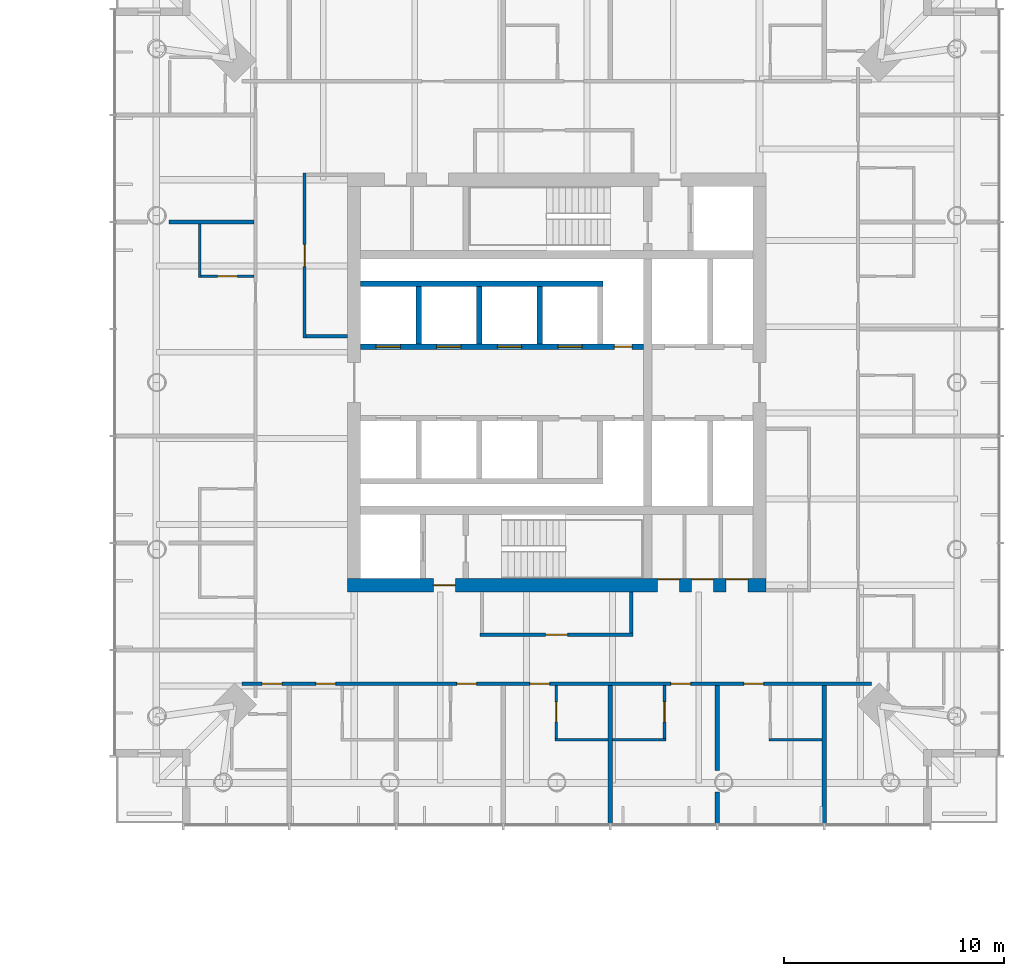
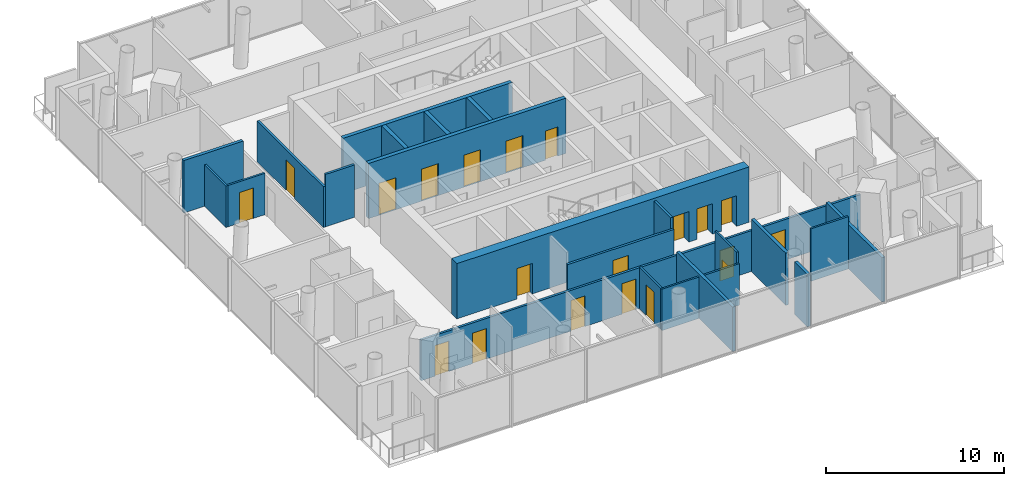
# One storey, part 15 of 22: 23 walls, 20 doors, 20 openings.
"""IFC4 building model written with IfcOpenShell, lengths in metres."""

from ifc_helpers import new_model, si_unit, direction, frame, frame_2d, origin, place, context, subcontext, project, spatial, rectangle, extrude, material, layer, layer_set, type_object, element, fill, save


model = new_model("IFC4")

# Units and contexts
model_context = context("Model", 3, precision=1e-05, world=origin(), true_north=direction((0.0, 1.0)))
body_context = subcontext(model_context, "Body", "Model", "MODEL_VIEW")
ifc_project = project(units=[si_unit("LENGTHUNIT", "METRE"), si_unit("AREAUNIT", "SQUARE_METRE"), si_unit("VOLUMEUNIT", "CUBIC_METRE"), si_unit("PLANEANGLEUNIT", "RADIAN"), si_unit("MASSUNIT", "GRAM", prefix="KILO")], contexts=[model_context])

# Site, building, storey
site_placement = place(None, origin())
site = spatial("IfcSite", under=ifc_project, at=site_placement, CompositionType="ELEMENT")
building_placement = place(site_placement, origin())
building = spatial("IfcBuilding", under=site, at=building_placement, Name="Ostroluk Exchange", CompositionType="ELEMENT")
storey_placement = place(building_placement, frame((0.0, 0.0, 40.0)))
storey = spatial("IfcBuildingStorey", under=building, at=storey_placement, Name="L09", CompositionType="ELEMENT", Elevation=40.0)

# Walls
ifc_material_1 = material(Name="Concrete C40/50", Category="concrete")
ifc_layer_1 = layer(ifc_material_1, 0.25)
ifc_layer_set_1 = layer_set([ifc_layer_1], Name="Core shaft wall 250")
wall_type_1 = type_object("IfcWallType", Name="Core shaft wall 250", PredefinedType="SHEAR", material=ifc_layer_set_1)
for number, where, z_axis, x_axis, name in (
    (1, (110.72509765625, 47.75, 0.0), (0.0, 0.0, 1.0), (0.0, 1.0, 0.0), "Lift shaft wall"),
    (2, (113.47509765625, 47.75, 0.0), (0.0, 0.0, 1.0), (0.0, 1.0, 0.0), "Lift shaft wall"),
    (3, (116.22509765625, 47.75, 0.0), (0.0, 0.0, 1.0), (0.0, 1.0, 0.0), "Lift shaft wall"),
):
    element("IfcWall", number, at=place(storey_placement, frame(where, z_axis=z_axis, x_axis=x_axis)), inside=storey, type_object=wall_type_1, Name=name, PredefinedType="SHEAR", context=body_context, shape_type="SweptSolid", body=[
        extrude(rectangle(XDim=2.60009765625, YDim=0.25, at=frame_2d((1.300048828125, 0.0))), origin(), (0.0, 0.0, 1.0), 3.800048828125),
    ])
wall_1_placement = place(storey_placement, frame((108.10009765625, 50.47509765625, 0.0), z_axis=(0.0, 0.0, 1.0), x_axis=(1.0, 0.0, 0.0)))
element("IfcWall", 4, at=wall_1_placement, inside=storey, type_object=wall_type_1, Name="Lift shaft wall", PredefinedType="SHEAR", context=body_context, shape_type="SweptSolid", body=[
    extrude(rectangle(XDim=11.0, YDim=0.25, at=frame_2d((5.5, 0.0))), origin(), (0.0, 0.0, 1.0), 3.800048828125),
])

# Wall, openings, doors
wall_2_placement = place(storey_placement, frame((108.10009765625, 47.625, 0.0), z_axis=(0.0, 0.0, 1.0), x_axis=(1.0, 0.0, 0.0)))
wall_2 = element("IfcWall", 5, at=wall_2_placement, inside=storey, type_object=wall_type_1, Name="Lift shaft front wall", PredefinedType="SHEAR", context=body_context, shape_type="SweptSolid", body=[
    extrude(rectangle(XDim=12.829833984375, YDim=0.25, at=frame_2d((6.4150390625, 0.0))), origin(), (0.0, 0.0, 1.0), 3.800048828125),
])
opening_1_placement = place(wall_2_placement, frame((0.699951171875, 0.0, 0.0)))
opening_1 = element("IfcOpeningElement", 6, at=opening_1_placement, cuts=wall_2, Name="Opening LD", PredefinedType="OPENING", context=body_context, shape_type="SweptSolid", body=[
    extrude(rectangle(XDim=1.10009765625, YDim=2.199951171875, at=frame_2d((0.550048828125, 1.10009765625))), frame((0.0, 0.135009765625, 0.0), z_axis=(0.0, -1.0, 0.0), x_axis=(1.0, 0.0, 0.0)), (0.0, 0.0, 1.0), 0.27001953125),
])
opening_2_placement = place(wall_2_placement, frame((3.449951171875, 0.0, 0.0)))
opening_2 = element("IfcOpeningElement", 7, at=opening_2_placement, cuts=wall_2, Name="Opening LD", PredefinedType="OPENING", context=body_context, shape_type="SweptSolid", body=[
    extrude(rectangle(XDim=1.10009765625, YDim=2.199951171875, at=frame_2d((0.550048828125, 1.10009765625))), frame((0.0, 0.135009765625, 0.0), z_axis=(0.0, -1.0, 0.0), x_axis=(1.0, 0.0, 0.0)), (0.0, 0.0, 1.0), 0.27001953125),
])
opening_3_placement = place(wall_2_placement, frame((6.199951171875, 0.0, 0.0)))
opening_3 = element("IfcOpeningElement", 8, at=opening_3_placement, cuts=wall_2, Name="Opening LD", PredefinedType="OPENING", context=body_context, shape_type="SweptSolid", body=[
    extrude(rectangle(XDim=1.10009765625, YDim=2.199951171875, at=frame_2d((0.550048828125, 1.10009765625))), frame((0.0, 0.135009765625, 0.0), z_axis=(0.0, -1.0, 0.0), x_axis=(1.0, 0.0, 0.0)), (0.0, 0.0, 1.0), 0.27001953125),
])
opening_4_placement = place(wall_2_placement, frame((8.949951171875, 0.0, 0.0)))
opening_4 = element("IfcOpeningElement", 9, at=opening_4_placement, cuts=wall_2, Name="Opening LD", PredefinedType="OPENING", context=body_context, shape_type="SweptSolid", body=[
    extrude(rectangle(XDim=1.10009765625, YDim=2.199951171875, at=frame_2d((0.550048828125, 1.10009765625))), frame((0.0, 0.135009765625, 0.0), z_axis=(0.0, -1.0, 0.0), x_axis=(1.0, 0.0, 0.0)), (0.0, 0.0, 1.0), 0.27001953125),
])
opening_5_placement = place(wall_2_placement, frame((11.514892578125, 0.0, 0.0)))
opening_5 = element("IfcOpeningElement", 10, at=opening_5_placement, cuts=wall_2, Name="Opening RD60", PredefinedType="OPENING", context=body_context, shape_type="SweptSolid", body=[
    extrude(rectangle(XDim=0.800048828125, YDim=2.0, at=frame_2d((0.39990234375, 1.0))), frame((0.0, 0.135009765625, 0.0), z_axis=(0.0, -1.0, 0.0), x_axis=(1.0, 0.0, 0.0)), (0.0, 0.0, 1.0), 0.27001953125),
])
ifc_material_2 = material(Name="Stainless steel", Category="steel")
door_type_1 = type_object("IfcDoorType", Name="Lift landing door E 60 1100 x 2200", OperationType="DOUBLE_DOOR_SLIDING", PredefinedType="DOOR", material=ifc_material_2)
door_1_placement = place(opening_1_placement, origin())
door_1 = element("IfcDoor", 11, at=door_1_placement, inside=storey, type_object=door_type_1, Name="Lift HL1 landing door", OperationType="DOUBLE_DOOR_SLIDING", OverallHeight=2.199951171875, OverallWidth=1.10009765625, PredefinedType="DOOR", context=body_context, shape_type="SweptSolid", body=[
    extrude(rectangle(XDim=1.10009765625, YDim=2.199951171875, at=frame_2d((0.550048828125, 1.10009765625))), frame((0.0, 0.02490234375, 0.0), z_axis=(0.0, -1.0, 0.0), x_axis=(1.0, 0.0, 0.0)), (0.0, 0.0, 1.0), 0.050048828125),
])
fill(opening_1, door_1)
door_2_placement = place(opening_2_placement, origin())
door_2 = element("IfcDoor", 12, at=door_2_placement, inside=storey, type_object=door_type_1, Name="Lift HL2 landing door", OperationType="DOUBLE_DOOR_SLIDING", OverallHeight=2.199951171875, OverallWidth=1.10009765625, PredefinedType="DOOR", context=body_context, shape_type="SweptSolid", body=[
    extrude(rectangle(XDim=1.10009765625, YDim=2.199951171875, at=frame_2d((0.550048828125, 1.10009765625))), frame((0.0, 0.02490234375, 0.0), z_axis=(0.0, -1.0, 0.0), x_axis=(1.0, 0.0, 0.0)), (0.0, 0.0, 1.0), 0.050048828125),
])
fill(opening_2, door_2)
door_3_placement = place(opening_3_placement, origin())
door_3 = element("IfcDoor", 13, at=door_3_placement, inside=storey, type_object=door_type_1, Name="Lift HL3 landing door", OperationType="DOUBLE_DOOR_SLIDING", OverallHeight=2.199951171875, OverallWidth=1.10009765625, PredefinedType="DOOR", context=body_context, shape_type="SweptSolid", body=[
    extrude(rectangle(XDim=1.10009765625, YDim=2.199951171875, at=frame_2d((0.550048828125, 1.10009765625))), frame((0.0, 0.02490234375, 0.0), z_axis=(0.0, -1.0, 0.0), x_axis=(1.0, 0.0, 0.0)), (0.0, 0.0, 1.0), 0.050048828125),
])
fill(opening_3, door_3)
door_4_placement = place(opening_4_placement, origin())
door_4 = element("IfcDoor", 14, at=door_4_placement, inside=storey, type_object=door_type_1, Name="Lift HL4 landing door", OperationType="DOUBLE_DOOR_SLIDING", OverallHeight=2.199951171875, OverallWidth=1.10009765625, PredefinedType="DOOR", context=body_context, shape_type="SweptSolid", body=[
    extrude(rectangle(XDim=1.10009765625, YDim=2.199951171875, at=frame_2d((0.550048828125, 1.10009765625))), frame((0.0, 0.02490234375, 0.0), z_axis=(0.0, -1.0, 0.0), x_axis=(1.0, 0.0, 0.0)), (0.0, 0.0, 1.0), 0.050048828125),
])
fill(opening_4, door_4)
ifc_material_3 = material(Name="Steel", Category="steel")
door_type_2 = type_object("IfcDoorType", Name="Riser access door EI 60 800 x 2000", OperationType="SINGLE_SWING_LEFT", PredefinedType="DOOR", material=ifc_material_3)
door_5_placement = place(opening_5_placement, origin())
door_5 = element("IfcDoor", 15, at=door_5_placement, inside=storey, type_object=door_type_2, Name="Riser access door", OperationType="SINGLE_SWING_RIGHT", OverallHeight=2.0, OverallWidth=0.800048828125, PredefinedType="DOOR", context=body_context, shape_type="SweptSolid", body=[
    extrude(rectangle(XDim=0.800048828125, YDim=2.0, at=frame_2d((0.39990234375, 1.0))), frame((0.0, 0.02490234375, 0.0), z_axis=(0.0, -1.0, 0.0), x_axis=(1.0, 0.0, 0.0)), (0.0, 0.0, 1.0), 0.050048828125),
])
fill(opening_5, door_5)

ifc_material_4 = material(Name="Concrete C50/60", Category="concrete")
ifc_layer_2 = layer(ifc_material_4, 0.60009765625)
ifc_layer_set_2 = layer_set([ifc_layer_2], Name="Core wall 600 C50/60")
wall_type_2 = type_object("IfcWallType", Name="Core wall 600 C50/60", PredefinedType="SHEAR", material=ifc_layer_set_2)
wall_3_placement = place(storey_placement, frame((107.5, 36.800048828125, 0.0), z_axis=(0.0, 0.0, 1.0), x_axis=(1.0, 0.0, 0.0)))
wall_3 = element("IfcWall", 16, at=wall_3_placement, inside=storey, type_object=wall_type_2, Name="T2 core wall S", PredefinedType="SHEAR", context=body_context, shape_type="SweptSolid", body=[
    extrude(rectangle(XDim=19.0, YDim=0.60009765625, at=frame_2d((9.5, 0.0))), origin(), (0.0, 0.0, 1.0), 3.800048828125),
])
opening_6_placement = place(wall_3_placement, frame((3.89990234375, 0.0, 0.0)))
opening_6 = element("IfcOpeningElement", 17, at=opening_6_placement, cuts=wall_3, Name="Opening FD60", PredefinedType="OPENING", context=body_context, shape_type="SweptSolid", body=[
    extrude(rectangle(XDim=1.0, YDim=2.10009765625, at=frame_2d((0.5, 1.050048828125))), frame((0.0, 0.31005859375, 0.0), z_axis=(0.0, -1.0, 0.0), x_axis=(1.0, 0.0, 0.0)), (0.0, 0.0, 1.0), 0.6201171875),
])
opening_7_placement = place(wall_3_placement, frame((14.080078125, 0.0, 0.0)))
opening_7 = element("IfcOpeningElement", 18, at=opening_7_placement, cuts=wall_3, Name="Opening FD60", PredefinedType="OPENING", context=body_context, shape_type="SweptSolid", body=[
    extrude(rectangle(XDim=1.0, YDim=2.10009765625, at=frame_2d((0.5, 1.050048828125))), frame((0.0, 0.31005859375, 0.0), z_axis=(0.0, -1.0, 0.0), x_axis=(1.0, 0.0, 0.0)), (0.0, 0.0, 1.0), 0.6201171875),
])
opening_8_placement = place(wall_3_placement, frame((15.614990234375, 0.0, 0.0)))
opening_8 = element("IfcOpeningElement", 19, at=opening_8_placement, cuts=wall_3, Name="Opening FD60", PredefinedType="OPENING", context=body_context, shape_type="SweptSolid", body=[
    extrude(rectangle(XDim=1.0, YDim=2.10009765625, at=frame_2d((0.5, 1.050048828125))), frame((0.0, 0.31005859375, 0.0), z_axis=(0.0, -1.0, 0.0), x_axis=(1.0, 0.0, 0.0)), (0.0, 0.0, 1.0), 0.6201171875),
])
opening_9_placement = place(wall_3_placement, frame((17.1875, 0.0, 0.0)))
opening_9 = element("IfcOpeningElement", 20, at=opening_9_placement, cuts=wall_3, Name="Opening FD60", PredefinedType="OPENING", context=body_context, shape_type="SweptSolid", body=[
    extrude(rectangle(XDim=1.0, YDim=2.10009765625, at=frame_2d((0.5, 1.050048828125))), frame((0.0, 0.31005859375, 0.0), z_axis=(0.0, -1.0, 0.0), x_axis=(1.0, 0.0, 0.0)), (0.0, 0.0, 1.0), 0.6201171875),
])
ifc_material_5 = material(Name="Steel", Category="steel")
door_type_3 = type_object("IfcDoorType", Name="Fire door EI 60 1000 x 2100", OperationType="SINGLE_SWING_LEFT", PredefinedType="DOOR", material=ifc_material_5)
door_6_placement = place(opening_6_placement, origin())
door_6 = element("IfcDoor", 21, at=door_6_placement, inside=storey, type_object=door_type_3, Name="Firefighting lobby door", OperationType="SINGLE_SWING_LEFT", OverallHeight=2.10009765625, OverallWidth=1.0, PredefinedType="DOOR", context=body_context, shape_type="SweptSolid", body=[
    extrude(rectangle(XDim=1.0, YDim=2.10009765625, at=frame_2d((0.5, 1.050048828125))), frame((0.0, 0.02490234375, 0.0), z_axis=(0.0, -1.0, 0.0), x_axis=(1.0, 0.0, 0.0)), (0.0, 0.0, 1.0), 0.050048828125),
])
fill(opening_6, door_6)
door_7_placement = place(opening_7_placement, origin())
door_7 = element("IfcDoor", 22, at=door_7_placement, inside=storey, type_object=door_type_3, Name="Linen store door", OperationType="SINGLE_SWING_RIGHT", OverallHeight=2.10009765625, OverallWidth=1.0, PredefinedType="DOOR", context=body_context, shape_type="SweptSolid", body=[
    extrude(rectangle(XDim=1.0, YDim=2.10009765625, at=frame_2d((0.5, 1.050048828125))), frame((0.0, 0.2900390625, 0.0), z_axis=(0.0, -1.0, 0.0), x_axis=(1.0, 0.0, 0.0)), (0.0, 0.0, 1.0), 0.050048828125),
])
fill(opening_7, door_7)
door_8_placement = place(opening_8_placement, origin())
door_8 = element("IfcDoor", 23, at=door_8_placement, inside=storey, type_object=door_type_3, Name="Housekeeping store door", OperationType="SINGLE_SWING_RIGHT", OverallHeight=2.10009765625, OverallWidth=1.0, PredefinedType="DOOR", context=body_context, shape_type="SweptSolid", body=[
    extrude(rectangle(XDim=1.0, YDim=2.10009765625, at=frame_2d((0.5, 1.050048828125))), frame((0.0, 0.2900390625, 0.0), z_axis=(0.0, -1.0, 0.0), x_axis=(1.0, 0.0, 0.0)), (0.0, 0.0, 1.0), 0.050048828125),
])
fill(opening_8, door_8)
door_9_placement = place(opening_9_placement, origin())
door_9 = element("IfcDoor", 24, at=door_9_placement, inside=storey, type_object=door_type_3, Name="Luggage store door", OperationType="SINGLE_SWING_RIGHT", OverallHeight=2.10009765625, OverallWidth=1.0, PredefinedType="DOOR", context=body_context, shape_type="SweptSolid", body=[
    extrude(rectangle(XDim=1.0, YDim=2.10009765625, at=frame_2d((0.5, 1.050048828125))), frame((0.0, 0.2900390625, 0.0), z_axis=(0.0, -1.0, 0.0), x_axis=(1.0, 0.0, 0.0)), (0.0, 0.0, 1.0), 0.050048828125),
])
fill(opening_9, door_9)

# Wall
ifc_material_6 = material(Name="Gypsum plasterboard partition, moisture resistant", Category="gypsum")
ifc_layer_3 = layer(ifc_material_6, 0.1201171875)
ifc_layer_set_3 = layer_set([ifc_layer_3], Name="Plasterboard en-suite wall 120")
wall_type_3 = type_object("IfcWallType", Name="Plasterboard en-suite wall 120", PredefinedType="PARTITIONING", material=ifc_layer_set_3)
wall_4_placement = place(storey_placement, frame((100.7900390625, 53.185791015625, 0.0), z_axis=(0.0, 0.0, 1.0), x_axis=(0.0, -1.0, 0.0)))
element("IfcWall", 25, at=wall_4_placement, inside=storey, type_object=wall_type_3, Name="En-suite wall", PredefinedType="PARTITIONING", context=body_context, shape_type="SweptSolid", body=[
    extrude(rectangle(XDim=2.420166015625, YDim=0.1201171875, at=frame_2d((1.2099609375, 0.0))), origin(), (0.0, 0.0, 1.0), 2.846923828125),
])

# Wall, opening, door
wall_5_placement = place(storey_placement, frame((103.25, 50.82568359375, 0.0), z_axis=(0.0, 0.0, 1.0), x_axis=(-1.0, 0.0, 0.0)))
wall_5 = element("IfcWall", 26, at=wall_5_placement, inside=storey, type_object=wall_type_3, Name="En-suite wall", PredefinedType="PARTITIONING", context=body_context, shape_type="SweptSolid", body=[
    extrude(rectangle(XDim=2.39990234375, YDim=0.1201171875, at=frame_2d((1.199951171875, 0.0))), origin(), (0.0, 0.0, 1.0), 2.846923828125),
])
opening_10_placement = place(wall_5_placement, frame((0.75, 0.0, 0.0)))
opening_10 = element("IfcOpeningElement", 27, at=opening_10_placement, cuts=wall_5, Name="Opening D-02", PredefinedType="OPENING", context=body_context, shape_type="SweptSolid", body=[
    extrude(rectangle(XDim=0.89990234375, YDim=2.10009765625, at=frame_2d((0.449951171875, 1.050048828125))), frame((0.0, 0.070068359375, 0.0), z_axis=(0.0, -1.0, 0.0), x_axis=(1.0, 0.0, 0.0)), (0.0, 0.0, 1.0), 0.14013671875),
])
ifc_material_7 = material(Name="Timber", Category="wood")
door_type_4 = type_object("IfcDoorType", Name="En-suite door 900 x 2100", OperationType="SINGLE_SWING_LEFT", PredefinedType="DOOR", material=ifc_material_7)
door_10_placement = place(opening_10_placement, origin())
door_10 = element("IfcDoor", 28, at=door_10_placement, inside=storey, type_object=door_type_4, Name="En-suite door 910", OperationType="SINGLE_SWING_LEFT", OverallHeight=2.10009765625, OverallWidth=0.89990234375, PredefinedType="DOOR", context=body_context, shape_type="SweptSolid", body=[
    extrude(rectangle(XDim=0.89990234375, YDim=2.10009765625, at=frame_2d((0.449951171875, 1.050048828125))), frame((0.0, 0.02490234375, 0.0), z_axis=(0.0, -1.0, 0.0), x_axis=(1.0, 0.0, 0.0)), (0.0, 0.0, 1.0), 0.050048828125),
])
fill(opening_10, door_10)

# Wall
wall_6_placement = place(storey_placement, frame((116.90869140625, 29.7900390625, 0.0), z_axis=(0.0, 0.0, 1.0), x_axis=(1.0, 0.0, 0.0)))
element("IfcWall", 29, at=wall_6_placement, inside=storey, type_object=wall_type_3, Name="En-suite wall", PredefinedType="PARTITIONING", context=body_context, shape_type="SweptSolid", body=[
    extrude(rectangle(XDim=2.419921875, YDim=0.1201171875, at=frame_2d((1.2099609375, 0.0))), origin(), (0.0, 0.0, 1.0), 2.846923828125),
])

# Wall, opening, door
wall_7_placement = place(storey_placement, frame((116.968505859375, 32.25, 0.0), z_axis=(0.0, 0.0, 1.0), x_axis=(0.0, -1.0, 0.0)))
wall_7 = element("IfcWall", 30, at=wall_7_placement, inside=storey, type_object=wall_type_3, Name="En-suite wall", PredefinedType="PARTITIONING", context=body_context, shape_type="SweptSolid", body=[
    extrude(rectangle(XDim=2.39990234375, YDim=0.1201171875, at=frame_2d((1.199951171875, 0.0))), origin(), (0.0, 0.0, 1.0), 2.846923828125),
])
opening_11_placement = place(wall_7_placement, frame((0.75, 0.0, 0.0)))
opening_11 = element("IfcOpeningElement", 31, at=opening_11_placement, cuts=wall_7, Name="Opening D-02", PredefinedType="OPENING", context=body_context, shape_type="SweptSolid", body=[
    extrude(rectangle(XDim=0.89990234375, YDim=2.10009765625, at=frame_2d((0.449951171875, 1.050048828125))), frame((0.0, 0.070068359375, 0.0), z_axis=(0.0, -1.0, 0.0), x_axis=(1.0, 0.0, 0.0)), (0.0, 0.0, 1.0), 0.14013671875),
])
door_11_placement = place(opening_11_placement, origin())
door_11 = element("IfcDoor", 32, at=door_11_placement, inside=storey, type_object=door_type_4, Name="En-suite door 916", OperationType="SINGLE_SWING_RIGHT", OverallHeight=2.10009765625, OverallWidth=0.89990234375, PredefinedType="DOOR", context=body_context, shape_type="SweptSolid", body=[
    extrude(rectangle(XDim=0.89990234375, YDim=2.10009765625, at=frame_2d((0.449951171875, 1.050048828125))), frame((0.0, 0.02490234375, 0.0), z_axis=(0.0, -1.0, 0.0), x_axis=(1.0, 0.0, 0.0)), (0.0, 0.0, 1.0), 0.050048828125),
])
fill(opening_11, door_11)

# Wall
wall_8_placement = place(storey_placement, frame((119.528564453125, 29.7900390625, 0.0), z_axis=(0.0, 0.0, 1.0), x_axis=(1.0, 0.0, 0.0)))
element("IfcWall", 33, at=wall_8_placement, inside=storey, type_object=wall_type_3, Name="En-suite wall", PredefinedType="PARTITIONING", context=body_context, shape_type="SweptSolid", body=[
    extrude(rectangle(XDim=2.419921875, YDim=0.1201171875, at=frame_2d((1.2099609375, 0.0))), origin(), (0.0, 0.0, 1.0), 2.846923828125),
])

# Wall, opening, door
wall_9_placement = place(storey_placement, frame((121.888671875, 32.25, 0.0), z_axis=(0.0, 0.0, 1.0), x_axis=(0.0, -1.0, 0.0)))
wall_9 = element("IfcWall", 34, at=wall_9_placement, inside=storey, type_object=wall_type_3, Name="En-suite wall", PredefinedType="PARTITIONING", context=body_context, shape_type="SweptSolid", body=[
    extrude(rectangle(XDim=2.39990234375, YDim=0.1201171875, at=frame_2d((1.199951171875, 0.0))), origin(), (0.0, 0.0, 1.0), 3.60009765625),
])
opening_12_placement = place(wall_9_placement, frame((0.75, 0.0, 0.0)))
opening_12 = element("IfcOpeningElement", 35, at=opening_12_placement, cuts=wall_9, Name="Opening D-02", PredefinedType="OPENING", context=body_context, shape_type="SweptSolid", body=[
    extrude(rectangle(XDim=0.89990234375, YDim=2.10009765625, at=frame_2d((0.449951171875, 1.050048828125))), frame((0.0, 0.070068359375, 0.0), z_axis=(0.0, -1.0, 0.0), x_axis=(1.0, 0.0, 0.0)), (0.0, 0.0, 1.0), 0.14013671875),
])
door_12_placement = place(opening_12_placement, origin())
door_12 = element("IfcDoor", 36, at=door_12_placement, inside=storey, type_object=door_type_4, Name="En-suite door 917", OperationType="SINGLE_SWING_RIGHT", OverallHeight=2.10009765625, OverallWidth=0.89990234375, PredefinedType="DOOR", context=body_context, shape_type="SweptSolid", body=[
    extrude(rectangle(XDim=0.89990234375, YDim=2.10009765625, at=frame_2d((0.449951171875, 1.050048828125))), frame((0.0, 0.02490234375, 0.0), z_axis=(0.0, -1.0, 0.0), x_axis=(1.0, 0.0, 0.0)), (0.0, 0.0, 1.0), 0.050048828125),
])
fill(opening_12, door_12)

# Wall
wall_10_placement = place(storey_placement, frame((126.622802734375, 29.7900390625, 0.0), z_axis=(0.0, 0.0, 1.0), x_axis=(1.0, 0.0, 0.0)))
element("IfcWall", 37, at=wall_10_placement, inside=storey, type_object=wall_type_3, Name="En-suite wall", PredefinedType="PARTITIONING", context=body_context, shape_type="SweptSolid", body=[
    extrude(rectangle(XDim=2.420166015625, YDim=0.1201171875, at=frame_2d((1.2099609375, 0.0))), origin(), (0.0, 0.0, 1.0), 3.60009765625),
])

# Wall, opening, door
ifc_material_8 = material(Name="Gypsum plasterboard partition", Category="gypsum")
ifc_layer_4 = layer(ifc_material_8, 0.14990234375)
ifc_layer_set_4 = layer_set([ifc_layer_4], Name="Plasterboard partition 150")
wall_type_4 = type_object("IfcWallType", Name="Plasterboard partition 150", PredefinedType="PARTITIONING", material=ifc_layer_set_4)
wall_11_placement = place(storey_placement, frame((105.550048828125, 55.5, 0.0), z_axis=(0.0, 0.0, 1.0), x_axis=(0.0, -1.0, 0.0)))
wall_11 = element("IfcWall", 38, at=wall_11_placement, inside=storey, type_object=wall_type_4, Name="Partition", PredefinedType="PARTITIONING", context=body_context, shape_type="SweptSolid", body=[
    extrude(rectangle(XDim=7.47509765625, YDim=0.14990234375, at=frame_2d((3.737548828125, 0.0))), origin(), (0.0, 0.0, 1.0), 2.800048828125),
])
opening_13_placement = place(wall_11_placement, frame((3.237548828125, 0.0, 0.0)))
opening_13 = element("IfcOpeningElement", 39, at=opening_13_placement, cuts=wall_11, Name="Opening D-03", PredefinedType="OPENING", context=body_context, shape_type="SweptSolid", body=[
    extrude(rectangle(XDim=1.0, YDim=2.10009765625, at=frame_2d((0.5, 1.050048828125))), frame((0.0, 0.0849609375, 0.0), z_axis=(0.0, -1.0, 0.0), x_axis=(1.0, 0.0, 0.0)), (0.0, 0.0, 1.0), 0.169921875),
])
ifc_material_9 = material(Name="Timber", Category="wood")
door_type_5 = type_object("IfcDoorType", Name="Internal door 1000 x 2100", OperationType="SINGLE_SWING_LEFT", PredefinedType="DOOR", material=ifc_material_9)
door_13_placement = place(opening_13_placement, origin())
door_13 = element("IfcDoor", 40, at=door_13_placement, inside=storey, type_object=door_type_5, Name="Vending and ice room door", OperationType="SINGLE_SWING_LEFT", OverallHeight=2.10009765625, OverallWidth=1.0, PredefinedType="DOOR", context=body_context, shape_type="SweptSolid", body=[
    extrude(rectangle(XDim=1.0, YDim=2.10009765625, at=frame_2d((0.5, 1.050048828125))), frame((0.0, 0.02490234375, 0.0), z_axis=(0.0, -1.0, 0.0), x_axis=(1.0, 0.0, 0.0)), (0.0, 0.0, 1.0), 0.050048828125),
])
fill(opening_13, door_13)

# Wall
wall_12_placement = place(storey_placement, frame((107.5, 48.10009765625, 0.0), z_axis=(0.0, 0.0, 1.0), x_axis=(-1.0, 0.0, 0.0)))
element("IfcWall", 41, at=wall_12_placement, inside=storey, type_object=wall_type_4, Name="Partition", PredefinedType="PARTITIONING", context=body_context, shape_type="SweptSolid", body=[
    extrude(rectangle(XDim=1.875, YDim=0.14990234375, at=frame_2d((0.9375, 0.0))), origin(), (0.0, 0.0, 1.0), 3.60009765625),
])

# Wall, opening, door
wall_13_placement = place(storey_placement, frame((113.52490234375, 34.550048828125, 0.0), z_axis=(0.0, 0.0, 1.0), x_axis=(1.0, 0.0, 0.0)))
wall_13 = element("IfcWall", 42, at=wall_13_placement, inside=storey, type_object=wall_type_4, Name="Partition", PredefinedType="PARTITIONING", context=body_context, shape_type="SweptSolid", body=[
    extrude(rectangle(XDim=6.93017578125, YDim=0.14990234375, at=frame_2d((3.465087890625, 0.0))), origin(), (0.0, 0.0, 1.0), 2.846923828125),
])
opening_14_placement = place(wall_13_placement, frame((2.965087890625, 0.0, 0.0)))
opening_14 = element("IfcOpeningElement", 43, at=opening_14_placement, cuts=wall_13, Name="Opening D-03", PredefinedType="OPENING", context=body_context, shape_type="SweptSolid", body=[
    extrude(rectangle(XDim=1.0, YDim=2.10009765625, at=frame_2d((0.5, 1.050048828125))), frame((0.0, 0.0849609375, 0.0), z_axis=(0.0, -1.0, 0.0), x_axis=(1.0, 0.0, 0.0)), (0.0, 0.0, 1.0), 0.169921875),
])
door_14_placement = place(opening_14_placement, origin())
door_14 = element("IfcDoor", 44, at=door_14_placement, inside=storey, type_object=door_type_5, Name="Linen store door", OperationType="SINGLE_SWING_RIGHT", OverallHeight=2.10009765625, OverallWidth=1.0, PredefinedType="DOOR", context=body_context, shape_type="SweptSolid", body=[
    extrude(rectangle(XDim=1.0, YDim=2.10009765625, at=frame_2d((0.5, 1.050048828125))), frame((0.0, 0.02490234375, 0.0), z_axis=(0.0, -1.0, 0.0), x_axis=(1.0, 0.0, 0.0)), (0.0, 0.0, 1.0), 0.050048828125),
])
fill(opening_14, door_14)

# Wall
wall_14_placement = place(storey_placement, frame((120.3798828125, 36.5, 0.0), z_axis=(0.0, 0.0, 1.0), x_axis=(0.0, -1.0, 0.0)))
element("IfcWall", 45, at=wall_14_placement, inside=storey, type_object=wall_type_4, Name="Partition", PredefinedType="PARTITIONING", context=body_context, shape_type="SweptSolid", body=[
    extrude(rectangle(XDim=1.875, YDim=0.14990234375, at=frame_2d((0.9375, 0.0))), origin(), (0.0, 0.0, 1.0), 3.60009765625),
])

# Wall, openings, doors
wall_15_placement = place(storey_placement, frame((102.70556640625, 32.324951171875, 0.0), z_axis=(0.0, 0.0, 1.0), x_axis=(1.0, 0.0, 0.0)))
wall_15 = element("IfcWall", 46, at=wall_15_placement, inside=storey, type_object=wall_type_4, Name="Corridor wall", PredefinedType="PARTITIONING", context=body_context, shape_type="SweptSolid", body=[
    extrude(rectangle(XDim=28.5888671875, YDim=0.14990234375, at=frame_2d((14.29443359375, 0.0))), origin(), (0.0, 0.0, 1.0), 2.800048828125),
])
opening_15_placement = place(wall_15_placement, frame((0.923095703125, 0.0, 0.0)))
opening_15 = element("IfcOpeningElement", 47, at=opening_15_placement, cuts=wall_15, Name="Opening D-01", PredefinedType="OPENING", context=body_context, shape_type="SweptSolid", body=[
    extrude(rectangle(XDim=0.89990234375, YDim=2.10009765625, at=frame_2d((0.449951171875, 1.050048828125))), frame((0.0, 0.0849609375, 0.0), z_axis=(0.0, -1.0, 0.0), x_axis=(1.0, 0.0, 0.0)), (0.0, 0.0, 1.0), 0.169921875),
])
opening_16_placement = place(wall_15_placement, frame((3.35888671875, 0.0, 0.0)))
opening_16 = element("IfcOpeningElement", 48, at=opening_16_placement, cuts=wall_15, Name="Opening D-01", PredefinedType="OPENING", context=body_context, shape_type="SweptSolid", body=[
    extrude(rectangle(XDim=0.89990234375, YDim=2.10009765625, at=frame_2d((0.449951171875, 1.050048828125))), frame((0.0, 0.0849609375, 0.0), z_axis=(0.0, -1.0, 0.0), x_axis=(1.0, 0.0, 0.0)), (0.0, 0.0, 1.0), 0.169921875),
])
opening_17_placement = place(wall_15_placement, frame((9.7587890625, 0.0, 0.0)))
opening_17 = element("IfcOpeningElement", 49, at=opening_17_placement, cuts=wall_15, Name="Opening D-01", PredefinedType="OPENING", context=body_context, shape_type="SweptSolid", body=[
    extrude(rectangle(XDim=0.89990234375, YDim=2.10009765625, at=frame_2d((0.449951171875, 1.050048828125))), frame((0.0, 0.0849609375, 0.0), z_axis=(0.0, -1.0, 0.0), x_axis=(1.0, 0.0, 0.0)), (0.0, 0.0, 1.0), 0.169921875),
])
opening_18_placement = place(wall_15_placement, frame((13.072998046875, 0.0, 0.0)))
opening_18 = element("IfcOpeningElement", 50, at=opening_18_placement, cuts=wall_15, Name="Opening D-01", PredefinedType="OPENING", context=body_context, shape_type="SweptSolid", body=[
    extrude(rectangle(XDim=0.89990234375, YDim=2.10009765625, at=frame_2d((0.449951171875, 1.050048828125))), frame((0.0, 0.0849609375, 0.0), z_axis=(0.0, -1.0, 0.0), x_axis=(1.0, 0.0, 0.0)), (0.0, 0.0, 1.0), 0.169921875),
])
opening_19_placement = place(wall_15_placement, frame((19.47314453125, 0.0, 0.0)))
opening_19 = element("IfcOpeningElement", 51, at=opening_19_placement, cuts=wall_15, Name="Opening D-01", PredefinedType="OPENING", context=body_context, shape_type="SweptSolid", body=[
    extrude(rectangle(XDim=0.89990234375, YDim=2.10009765625, at=frame_2d((0.449951171875, 1.050048828125))), frame((0.0, 0.0849609375, 0.0), z_axis=(0.0, -1.0, 0.0), x_axis=(1.0, 0.0, 0.0)), (0.0, 0.0, 1.0), 0.169921875),
])
opening_20_placement = place(wall_15_placement, frame((22.787353515625, 0.0, 0.0)))
opening_20 = element("IfcOpeningElement", 52, at=opening_20_placement, cuts=wall_15, Name="Opening D-01", PredefinedType="OPENING", context=body_context, shape_type="SweptSolid", body=[
    extrude(rectangle(XDim=0.89990234375, YDim=2.10009765625, at=frame_2d((0.449951171875, 1.050048828125))), frame((0.0, 0.0849609375, 0.0), z_axis=(0.0, -1.0, 0.0), x_axis=(1.0, 0.0, 0.0)), (0.0, 0.0, 1.0), 0.169921875),
])
ifc_material_10 = material(Name="Timber", Category="wood")
door_type_6 = type_object("IfcDoorType", Name="Hotel room door EI 30 Sa 900 x 2100", OperationType="SINGLE_SWING_LEFT", PredefinedType="DOOR", material=ifc_material_10)
door_15_placement = place(opening_15_placement, origin())
door_15 = element("IfcDoor", 53, at=door_15_placement, inside=storey, type_object=door_type_6, Name="Room door 913", OperationType="SINGLE_SWING_LEFT", OverallHeight=2.10009765625, OverallWidth=0.89990234375, PredefinedType="DOOR", context=body_context, shape_type="SweptSolid", body=[
    extrude(rectangle(XDim=0.89990234375, YDim=2.10009765625, at=frame_2d((0.449951171875, 1.050048828125))), frame((0.0, 0.02490234375, 0.0), z_axis=(0.0, -1.0, 0.0), x_axis=(1.0, 0.0, 0.0)), (0.0, 0.0, 1.0), 0.050048828125),
])
fill(opening_15, door_15)
door_16_placement = place(opening_16_placement, origin())
door_16 = element("IfcDoor", 54, at=door_16_placement, inside=storey, type_object=door_type_6, Name="Room door 914", OperationType="SINGLE_SWING_LEFT", OverallHeight=2.10009765625, OverallWidth=0.89990234375, PredefinedType="DOOR", context=body_context, shape_type="SweptSolid", body=[
    extrude(rectangle(XDim=0.89990234375, YDim=2.10009765625, at=frame_2d((0.449951171875, 1.050048828125))), frame((0.0, 0.02490234375, 0.0), z_axis=(0.0, -1.0, 0.0), x_axis=(1.0, 0.0, 0.0)), (0.0, 0.0, 1.0), 0.050048828125),
])
fill(opening_16, door_16)
door_17_placement = place(opening_17_placement, origin())
door_17 = element("IfcDoor", 55, at=door_17_placement, inside=storey, type_object=door_type_6, Name="Room door 915", OperationType="SINGLE_SWING_LEFT", OverallHeight=2.10009765625, OverallWidth=0.89990234375, PredefinedType="DOOR", context=body_context, shape_type="SweptSolid", body=[
    extrude(rectangle(XDim=0.89990234375, YDim=2.10009765625, at=frame_2d((0.449951171875, 1.050048828125))), frame((0.0, 0.02490234375, 0.0), z_axis=(0.0, -1.0, 0.0), x_axis=(1.0, 0.0, 0.0)), (0.0, 0.0, 1.0), 0.050048828125),
])
fill(opening_17, door_17)
door_18_placement = place(opening_18_placement, origin())
door_18 = element("IfcDoor", 56, at=door_18_placement, inside=storey, type_object=door_type_6, Name="Room door 916", OperationType="SINGLE_SWING_LEFT", OverallHeight=2.10009765625, OverallWidth=0.89990234375, PredefinedType="DOOR", context=body_context, shape_type="SweptSolid", body=[
    extrude(rectangle(XDim=0.89990234375, YDim=2.10009765625, at=frame_2d((0.449951171875, 1.050048828125))), frame((0.0, 0.02490234375, 0.0), z_axis=(0.0, -1.0, 0.0), x_axis=(1.0, 0.0, 0.0)), (0.0, 0.0, 1.0), 0.050048828125),
])
fill(opening_18, door_18)
door_19_placement = place(opening_19_placement, origin())
door_19 = element("IfcDoor", 57, at=door_19_placement, inside=storey, type_object=door_type_6, Name="Room door 917", OperationType="SINGLE_SWING_RIGHT", OverallHeight=2.10009765625, OverallWidth=0.89990234375, PredefinedType="DOOR", context=body_context, shape_type="SweptSolid", body=[
    extrude(rectangle(XDim=0.89990234375, YDim=2.10009765625, at=frame_2d((0.449951171875, 1.050048828125))), frame((0.0, 0.02490234375, 0.0), z_axis=(0.0, -1.0, 0.0), x_axis=(1.0, 0.0, 0.0)), (0.0, 0.0, 1.0), 0.050048828125),
])
fill(opening_19, door_19)
door_20_placement = place(opening_20_placement, origin())
door_20 = element("IfcDoor", 58, at=door_20_placement, inside=storey, type_object=door_type_6, Name="Room door 918", OperationType="SINGLE_SWING_RIGHT", OverallHeight=2.10009765625, OverallWidth=0.89990234375, PredefinedType="DOOR", context=body_context, shape_type="SweptSolid", body=[
    extrude(rectangle(XDim=0.89990234375, YDim=2.10009765625, at=frame_2d((0.449951171875, 1.050048828125))), frame((0.0, 0.02490234375, 0.0), z_axis=(0.0, -1.0, 0.0), x_axis=(1.0, 0.0, 0.0)), (0.0, 0.0, 1.0), 0.050048828125),
])
fill(opening_20, door_20)

# Walls
ifc_material_11 = material(Name="Gypsum plasterboard partition", Category="gypsum")
ifc_layer_5 = layer(ifc_material_11, 0.199951171875)
ifc_layer_set_5 = layer_set([ifc_layer_5], Name="Plasterboard party wall 200")
wall_type_5 = type_object("IfcWallType", Name="Plasterboard party wall 200", PredefinedType="PARTITIONING", material=ifc_layer_set_5)
wall_16_placement = place(storey_placement, frame((103.25, 53.28564453125, 0.0), z_axis=(0.0, 0.0, 1.0), x_axis=(-1.0, 0.0, 0.0)))
element("IfcWall", 59, at=wall_16_placement, inside=storey, type_object=wall_type_5, Name="Party wall", PredefinedType="PARTITIONING", context=body_context, shape_type="SweptSolid", body=[
    extrude(rectangle(XDim=3.86083984375, YDim=0.199951171875, at=frame_2d((1.930419921875, 0.0))), origin(), (0.0, 0.0, 1.0), 3.60009765625),
])
wall_17_placement = place(storey_placement, frame((119.428466796875, 32.25, 0.0), z_axis=(0.0, 0.0, 1.0), x_axis=(0.0, -1.0, 0.0)))
element("IfcWall", 60, at=wall_17_placement, inside=storey, type_object=wall_type_5, Name="Party wall", PredefinedType="PARTITIONING", context=body_context, shape_type="SweptSolid", body=[
    extrude(rectangle(XDim=6.2900390625, YDim=0.199951171875, at=frame_2d((3.14501953125, 0.0))), origin(), (0.0, 0.0, 1.0), 3.050048828125),
])
wall_18_placement = place(storey_placement, frame((124.28564453125, 32.25, 0.0), z_axis=(0.0, 0.0, 1.0), x_axis=(0.0, -1.0, 0.0)))
element("IfcWall", 61, at=wall_18_placement, inside=storey, type_object=wall_type_5, Name="Party wall", PredefinedType="PARTITIONING", context=body_context, shape_type="SweptSolid", body=[
    extrude(rectangle(XDim=3.86083984375, YDim=0.199951171875, at=frame_2d((1.930419921875, 0.0))), origin(), (0.0, 0.0, 1.0), 3.60009765625),
])
wall_19_placement = place(storey_placement, frame((124.28564453125, 27.412353515625, 0.0), z_axis=(0.0, 0.0, 1.0), x_axis=(0.0, -1.0, 0.0)))
element("IfcWall", 62, at=wall_19_placement, inside=storey, type_object=wall_type_5, Name="Party wall", PredefinedType="PARTITIONING", context=body_context, shape_type="SweptSolid", body=[
    extrude(rectangle(XDim=1.452392578125, YDim=0.199951171875, at=frame_2d((0.72607421875, 0.0))), origin(), (0.0, 0.0, 1.0), 3.60009765625),
])
wall_20_placement = place(storey_placement, frame((129.142822265625, 32.25, 0.0), z_axis=(0.0, 0.0, 1.0), x_axis=(0.0, -1.0, 0.0)))
element("IfcWall", 63, at=wall_20_placement, inside=storey, type_object=wall_type_5, Name="Party wall", PredefinedType="PARTITIONING", context=body_context, shape_type="SweptSolid", body=[
    extrude(rectangle(XDim=6.2900390625, YDim=0.199951171875, at=frame_2d((3.14501953125, 0.0))), origin(), (0.0, 0.0, 1.0), 3.050048828125),
])

save(model, "model.ifc")
